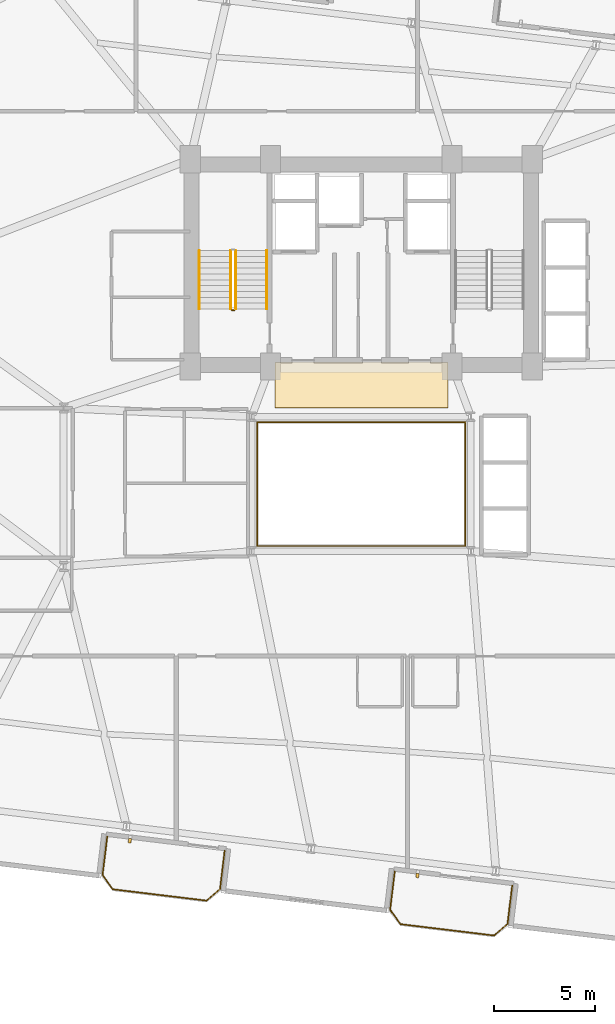
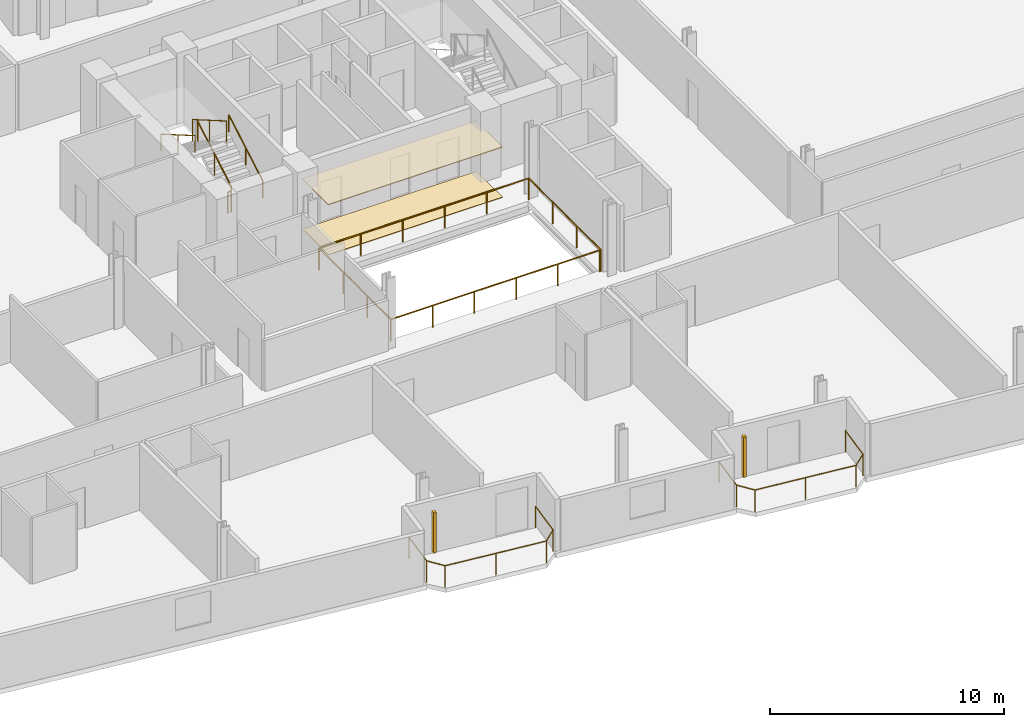
# One storey, part 24 of 25: 9 railings, 2 coverings, 2 shading devices.
"""IFC4 building model written with IfcOpenShell, lengths in metres."""

import ifcopenshell
import ifcopenshell.guid

model = None  # the IFC model being written
_history = None  # IfcOwnerHistory: only IFC2X3 demands one
_inside = {}  # id of a spatial element -> (the spatial element, [elements in it])
_under = {}  # id of a project, library or spatial element -> (it, [spatial elements below it])
_declared = {}  # id of a project -> (the project, [libraries it declares])
_typed = {}  # id of a type object -> (the type object, [elements of that type])
_made_of = {}  # id of a material, layer set ... -> (it, [elements and type objects made of it])


def new_model(schema):
    """Start an empty IFC model of exactly this schema.

    Asked for "IFC4X3", IfcOpenShell would pick the latest addendum, in which some entities
    have other attributes; the version numbers below select the first issue.
    IFC2X3 requires an IfcOwnerHistory on every rooted entity: one is made here for all.
    """
    global model, _history
    if schema == "IFC4X3":
        model = ifcopenshell.file(schema_version=(4, 3, 0, 0))
    else:
        model = ifcopenshell.file(schema=schema)
    _inside.clear()
    _under.clear()
    _declared.clear()
    _typed.clear()
    _made_of.clear()
    _history = None
    if model.schema == "IFC2X3":
        org = make("IfcOrganization", Name="unknown")
        user = make(
            "IfcPersonAndOrganization",
            ThePerson=make("IfcPerson", FamilyName="unknown"),
            TheOrganization=org,
        )
        app = make(
            "IfcApplication",
            ApplicationDeveloper=org,
            Version="unknown",
            ApplicationFullName="unknown",
            ApplicationIdentifier="unknown",
        )
        _history = make(
            "IfcOwnerHistory",
            OwningUser=user,
            OwningApplication=app,
            ChangeAction="ADDED",
            CreationDate=0,
        )
    return model


def make(cls, **values):
    """One entity of the class cls with the attributes given. An attribute that is None is left unset."""
    return model.create_entity(
        cls, **{name: value for name, value in values.items() if value is not None}
    )


def rooted(cls, **values):
    """An entity with a GlobalId (a new one), such as an element, a storey or a relation."""
    return make(cls, GlobalId=ifcopenshell.guid.new(), OwnerHistory=_history, **values)


def si_unit(unit_type, name, prefix=None):
    """IfcSIUnit, for example si_unit("LENGTHUNIT", "METRE", prefix="MILLI")."""
    return make("IfcSIUnit", UnitType=unit_type, Prefix=prefix, Name=name)


def assignment(units):
    """IfcUnitAssignment: the units of a project."""
    return None if units is None else make("IfcUnitAssignment", Units=units)


def point(xyz):
    """IfcCartesianPoint."""
    return None if xyz is None else make("IfcCartesianPoint", Coordinates=xyz)


def direction(xyz):
    """IfcDirection."""
    return None if xyz is None else make("IfcDirection", DirectionRatios=xyz)


def frame(location, z_axis=None, x_axis=None):
    """IfcAxis2Placement3D, a coordinate frame: its origin and axes. An axis left out is left unset."""
    return make(
        "IfcAxis2Placement3D",
        Location=point(location),
        Axis=direction(z_axis),
        RefDirection=direction(x_axis),
    )


def frame_2d(location, x_axis=None):
    """IfcAxis2Placement2D, a coordinate frame in the plane: its origin and x axis."""
    return make(
        "IfcAxis2Placement2D", Location=point(location), RefDirection=direction(x_axis)
    )


def origin():
    """The frame at (0, 0, 0) with its axes left unset."""
    return frame((0.0, 0.0, 0.0))


def origin_2d():
    """The frame at (0, 0) in the plane with its x axis left unset."""
    return frame_2d((0.0, 0.0))


def place(relative_to, where):
    """IfcLocalPlacement: puts the frame where relative to a parent placement (None: the world)."""
    return make(
        "IfcLocalPlacement", PlacementRelTo=relative_to, RelativePlacement=where
    )


def context(
    kind, dimensions, precision=None, world=None, true_north=None, identifier=None
):
    """IfcGeometricRepresentationContext, for example the 3D "Model" context."""
    return make(
        "IfcGeometricRepresentationContext",
        ContextIdentifier=identifier,
        ContextType=kind,
        CoordinateSpaceDimension=dimensions,
        Precision=precision,
        WorldCoordinateSystem=world,
        TrueNorth=true_north,
    )


def subcontext(parent, identifier, kind, view, scale=None):
    """IfcGeometricRepresentationSubContext, for example "Body" below "Model"."""
    return make(
        "IfcGeometricRepresentationSubContext",
        ContextIdentifier=identifier,
        ContextType=kind,
        ParentContext=parent,
        TargetScale=scale,
        TargetView=view,
    )


def project(units=None, contexts=None):
    """IfcProject with its units and contexts."""
    return rooted(
        "IfcProject",
        Name="project",
        RepresentationContexts=contexts,
        UnitsInContext=assignment(units),
    )


def spatial(cls, under=None, at=None, **own):
    """A site, building, storey or space (cls), placed at a placement, below another one or the project."""
    s = rooted(cls, ObjectPlacement=at, **own)
    if under is not None:
        _under.setdefault(under.id(), (under, []))[1].append(s)
    return s


def profile(cls, at=None, kind="AREA", **sizes):
    """A parametric profile (cls). Its sizes go by their IFC names, for example OverallWidth=200.0."""
    return make(cls, ProfileType=kind, Position=at, **sizes)


def rectangle(**sizes):
    """IfcRectangleProfileDef."""
    return profile("IfcRectangleProfileDef", **sizes)


def circle(**sizes):
    """IfcCircleProfileDef."""
    return profile("IfcCircleProfileDef", **sizes)


def extrude(swept, where, along, depth):
    """IfcExtrudedAreaSolid: the profile swept, set in the frame where, extruded along a direction by depth."""
    return make(
        "IfcExtrudedAreaSolid",
        SweptArea=swept,
        Position=where,
        ExtrudedDirection=direction(along),
        Depth=depth,
    )


def shape(context_of_items, identifier, shape_type, items):
    """IfcShapeRepresentation: the items that make up one representation, for example the "Body"."""
    return make(
        "IfcShapeRepresentation",
        ContextOfItems=context_of_items,
        RepresentationIdentifier=identifier,
        RepresentationType=shape_type,
        Items=items,
    )


def source(mapping_origin, context_of_items, identifier, shape_type, items):
    """IfcRepresentationMap: a shape defined once, which mapped items show again and again."""
    return make(
        "IfcRepresentationMap",
        MappingOrigin=mapping_origin,
        MappedRepresentation=shape(context_of_items, identifier, shape_type, items),
    )


def transform(
    local_origin,
    x_axis=None,
    y_axis=None,
    z_axis=None,
    scale=None,
    scale2=None,
    scale3=None,
    uniform=True,
):
    """IfcCartesianTransformationOperator3D, or its non-uniform kind. x_axis, y_axis, z_axis: its Axis1, 2, 3."""
    if uniform:
        return make(
            "IfcCartesianTransformationOperator3D",
            Axis1=direction(x_axis),
            Axis2=direction(y_axis),
            LocalOrigin=point(local_origin),
            Scale=scale,
            Axis3=direction(z_axis),
        )
    return make(
        "IfcCartesianTransformationOperator3DnonUniform",
        Axis1=direction(x_axis),
        Axis2=direction(y_axis),
        LocalOrigin=point(local_origin),
        Scale=scale,
        Axis3=direction(z_axis),
        Scale2=scale2,
        Scale3=scale3,
    )


def mapped(mapping_source, mapping_target):
    """IfcMappedItem: shows the shape of a source again, moved by a transform."""
    return make(
        "IfcMappedItem", MappingSource=mapping_source, MappingTarget=mapping_target
    )


def material(Name=None, Category=None):
    """IfcMaterial."""
    return make("IfcMaterial", Name=Name, Category=Category)


def layer(
    of_material, thickness, ventilated=None, Name=None, Category=None, Priority=None
):
    """IfcMaterialLayer: one layer of a wall or slab, of a material (None: an air gap)."""
    return make(
        "IfcMaterialLayer",
        Material=of_material,
        LayerThickness=thickness,
        IsVentilated=ventilated,
        Name=Name,
        Category=Category,
        Priority=Priority,
    )


def layer_set(layers, Name=None):
    """IfcMaterialLayerSet."""
    return make("IfcMaterialLayerSet", MaterialLayers=layers, LayerSetName=Name)


def made_of(thing, what):
    """Note that an element or type object is made of a material, layer set ...; save() writes the relation."""
    if what is not None:
        _made_of.setdefault(what.id(), (what, []))[1].append(thing)
    return thing


def type_object(cls, material=None, **own):
    """A type object (cls), such as IfcWallType, which elements share."""
    return made_of(rooted(cls, **own), material)


def element(
    cls,
    number,
    at=None,
    inside=None,
    cuts=None,
    type_object=None,
    material=None,
    context=None,
    identifier="Body",
    shape_type=None,
    held_by="IfcProductDefinitionShape",
    body=None,
    shapes=None,
    **own,
):
    """One element of the class cls, such as IfcWall. Its Tag is "e" and its number.

    at: its placement. inside: the storey or other place that contains it. cuts: it is an
    opening in that element (IfcRelVoidsElement). A single representation is given by context,
    identifier, shape_type and body (its items); several are given by shapes. held_by: the class
    of the entity that holds the representations. save() writes the other relations.
    """
    e = rooted(cls, Tag="e%d" % number, ObjectPlacement=at, **own)
    if body is not None:
        shapes = [shape(context, identifier, shape_type, body)]
    if shapes is not None:
        e.Representation = make(held_by, Representations=shapes)
    if inside is not None:
        _inside.setdefault(inside.id(), (inside, []))[1].append(e)
    if cuts is not None:
        rooted(
            "IfcRelVoidsElement", RelatingBuildingElement=cuts, RelatedOpeningElement=e
        )
    if type_object is not None:
        _typed.setdefault(type_object.id(), (type_object, []))[1].append(e)
    return made_of(e, material)


def aggregate(whole, parts):
    """IfcRelAggregates: a whole, such as a stair, and the parts it consists of."""
    return rooted("IfcRelAggregates", RelatingObject=whole, RelatedObjects=parts)


def save(model, path):
    """Write the relations noted so far, then the file.

    IfcRelAggregates (storeys below a building ...), IfcRelContainedInSpatialStructure (elements
    in a storey), IfcRelDefinesByType, IfcRelAssociatesMaterial and IfcRelDeclares: one each for
    every whole, place, type object, material and project.
    """
    for whole, parts in _under.values():
        aggregate(whole, parts)
    for where, things in _inside.values():
        rooted(
            "IfcRelContainedInSpatialStructure",
            RelatedElements=things,
            RelatingStructure=where,
        )
    for kind, things in _typed.values():
        rooted("IfcRelDefinesByType", RelatedObjects=things, RelatingType=kind)
    for what, things in _made_of.values():
        rooted("IfcRelAssociatesMaterial", RelatedObjects=things, RelatingMaterial=what)
    for by, libraries in _declared.values():
        rooted("IfcRelDeclares", RelatingContext=by, RelatedDefinitions=libraries)
    model.write(path)


model = new_model("IFC4")

# Units and contexts
model_context = context("Model", 3, precision=1e-05, world=origin(), true_north=direction((0.0, 1.0)))
body_context = subcontext(model_context, "Body", "Model", "MODEL_VIEW")
ifc_project = project(units=[si_unit("LENGTHUNIT", "METRE"), si_unit("AREAUNIT", "SQUARE_METRE"), si_unit("VOLUMEUNIT", "CUBIC_METRE"), si_unit("PLANEANGLEUNIT", "RADIAN"), si_unit("MASSUNIT", "GRAM", prefix="KILO")], contexts=[model_context])

# Site, building, storey
site_placement = place(None, origin())
site = spatial("IfcSite", under=ifc_project, at=site_placement, CompositionType="ELEMENT")
building_placement = place(site_placement, origin())
building = spatial("IfcBuilding", under=site, at=building_placement, Name="Varnelok Gate Tower", CompositionType="ELEMENT")
storey_placement = place(building_placement, frame((0.0, 0.0, 140.199951171875)))
storey = spatial("IfcBuildingStorey", under=building, at=storey_placement, Name="L35", CompositionType="ELEMENT", Elevation=140.199951171875)

# Railings
ifc_material_1 = material(Name="Tempered Laminated Balustrade Glass", Category="glass")
railing_type_1 = type_object("IfcRailingType", Name="RL-ATR-GUARD1150", PredefinedType="GUARDRAIL", material=ifc_material_1)
railing_1_placement = place(storey_placement, frame((34.02001953125, 25.929931640625, 0.0)))
element("IfcRailing", 1, at=railing_1_placement, inside=storey, type_object=railing_type_1, Name="L35 Internal Atrium South-West Guardrail", PredefinedType="GUARDRAIL", context=body_context, shape_type="SweptSolid", body=[
    extrude(circle(Radius=0.02392578125, at=origin_2d()), frame((0.0, 0.0, 1.1259765625), z_axis=(0.0, -1.0, 0.0), x_axis=(1.0, 0.0, 0.0)), (0.0, 0.0, 1.0), 6.10986328125),
    extrude(circle(Radius=0.02392578125, at=origin_2d()), frame((0.0, -6.10986328125, 1.1259765625), z_axis=(1.0, 0.0, 0.0), x_axis=(0.0, 1.0, 0.0)), (0.0, 0.0, 1.0), 10.31005859375),
    extrude(circle(Radius=0.02099609375, at=origin_2d()), origin(), (0.0, 0.0, 1.0), 1.101806640625),
    extrude(circle(Radius=0.02099609375, at=origin_2d()), frame((0.0, -2.03662109375, 0.0)), (0.0, 0.0, 1.0), 1.101806640625),
    extrude(circle(Radius=0.02099609375, at=origin_2d()), frame((0.0, -4.0732421875, 0.0)), (0.0, 0.0, 1.0), 1.101806640625),
    extrude(circle(Radius=0.02099609375, at=origin_2d()), frame((0.0, -6.10986328125, 0.0)), (0.0, 0.0, 1.0), 1.101806640625),
    extrude(circle(Radius=0.02099609375, at=origin_2d()), frame((2.06201171875, -6.10986328125, 0.0)), (0.0, 0.0, 1.0), 1.101806640625),
    extrude(circle(Radius=0.02099609375, at=origin_2d()), frame((4.1240234375, -6.10986328125, 0.0)), (0.0, 0.0, 1.0), 1.101806640625),
    extrude(circle(Radius=0.02099609375, at=origin_2d()), frame((6.18603515625, -6.10986328125, 0.0)), (0.0, 0.0, 1.0), 1.101806640625),
    extrude(circle(Radius=0.02099609375, at=origin_2d()), frame((8.248046875, -6.10986328125, 0.0)), (0.0, 0.0, 1.0), 1.101806640625),
    extrude(circle(Radius=0.02099609375, at=origin_2d()), frame((10.31005859375, -6.10986328125, 0.0)), (0.0, 0.0, 1.0), 1.101806640625),
])
railing_2_placement = place(storey_placement, frame((44.3798828125, 19.820068359375, 0.0)))
element("IfcRailing", 2, at=railing_2_placement, inside=storey, type_object=railing_type_1, Name="L35 Internal Atrium North-East Guardrail", PredefinedType="GUARDRAIL", context=body_context, shape_type="SweptSolid", body=[
    extrude(circle(Radius=0.02392578125, at=origin_2d()), frame((0.0, 0.0, 1.1259765625), z_axis=(0.0, 1.0, 0.0), x_axis=(-1.0, 0.0, 0.0)), (0.0, 0.0, 1.0), 6.159912109375),
    extrude(circle(Radius=0.02392578125, at=origin_2d()), frame((0.0, 6.159912109375, 1.1259765625), z_axis=(-1.0, 0.0, 0.0), x_axis=(0.0, -1.0, 0.0)), (0.0, 0.0, 1.0), 10.35986328125),
    extrude(circle(Radius=0.02099609375, at=origin_2d()), origin(), (0.0, 0.0, 1.0), 1.101806640625),
    extrude(circle(Radius=0.02099609375, at=origin_2d()), frame((0.0, 2.05322265625, 0.0)), (0.0, 0.0, 1.0), 1.101806640625),
    extrude(circle(Radius=0.02099609375, at=origin_2d()), frame((0.0, 4.106689453125, 0.0)), (0.0, 0.0, 1.0), 1.101806640625),
    extrude(circle(Radius=0.02099609375, at=origin_2d()), frame((0.0, 6.159912109375, 0.0)), (0.0, 0.0, 1.0), 1.101806640625),
    extrude(circle(Radius=0.02099609375, at=origin_2d()), frame((-2.072021484375, 6.159912109375, 0.0)), (0.0, 0.0, 1.0), 1.101806640625),
    extrude(circle(Radius=0.02099609375, at=origin_2d()), frame((-4.14404296875, 6.159912109375, 0.0)), (0.0, 0.0, 1.0), 1.101806640625),
    extrude(circle(Radius=0.02099609375, at=origin_2d()), frame((-6.2158203125, 6.159912109375, 0.0)), (0.0, 0.0, 1.0), 1.101806640625),
    extrude(circle(Radius=0.02099609375, at=origin_2d()), frame((-8.287841796875, 6.159912109375, 0.0)), (0.0, 0.0, 1.0), 1.101806640625),
    extrude(circle(Radius=0.02099609375, at=origin_2d()), frame((-10.35986328125, 6.159912109375, 0.0)), (0.0, 0.0, 1.0), 1.101806640625),
])
ifc_material_2 = material(Name="Low-E Laminated Double Glazing IGU", Category="glass")
railing_type_2 = type_object("IfcRailingType", Name="RL-BALC-1150", PredefinedType="BALUSTRADE", material=ifc_material_2)
railing_3_placement = place(storey_placement, frame((26.5703125, 5.375, 0.0)))
element("IfcRailing", 3, at=railing_3_placement, inside=storey, type_object=railing_type_2, Name="L35 South Terrace Balustrade 1", PredefinedType="BALUSTRADE", context=body_context, shape_type="SweptSolid", body=[
    extrude(circle(Radius=0.02392578125, at=origin_2d()), frame((0.0, 0.0, 1.1259765625), z_axis=(-0.120293392036, -0.992738384386, 0.0), x_axis=(0.992738384386, -0.120293392036, 0.0)), (0.0, 0.0, 1.0), 1.919921875),
    extrude(circle(Radius=0.02392578125, at=origin_2d()), frame((-0.23095703125, -1.906005859375, 1.1259765625), z_axis=(0.577971037086, -0.816057277579, 0.0), x_axis=(0.816057277579, 0.577971037086, 0.0)), (0.0, 0.0, 1.0), 0.877685546875),
    extrude(circle(Radius=0.02392578125, at=origin_2d()), frame((0.2763671875, -2.622314453125, 1.1259765625), z_axis=(0.992737542139, -0.120300342591, 0.0), x_axis=(0.120300342591, 0.992737542139, 0.0)), (0.0, 0.0, 1.0), 4.7001953125),
    extrude(circle(Radius=0.02392578125, at=origin_2d()), frame((4.9423828125, -3.187744140625, 1.1259765625), z_axis=(0.756303655992, 0.654220742513, 0.0), x_axis=(-0.654220742513, 0.756303655992, 0.0)), (0.0, 0.0, 1.0), 0.877685546875),
    extrude(circle(Radius=0.02392578125, at=origin_2d()), frame((5.606201171875, -2.613525390625, 1.1259765625), z_axis=(0.120418709125, 0.992723191274, 0.0), x_axis=(-0.992723191274, 0.120418709125, 0.0)), (0.0, 0.0, 1.0), 1.919921875),
    extrude(circle(Radius=0.02099609375, at=origin_2d()), origin(), (0.0, 0.0, 1.0), 1.101806640625),
    extrude(circle(Radius=0.02099609375, at=origin_2d()), frame((-0.23095703125, -1.906005859375, 0.0)), (0.0, 0.0, 1.0), 1.101806640625),
    extrude(circle(Radius=0.02099609375, at=origin_2d()), frame((0.2763671875, -2.622314453125, 0.0)), (0.0, 0.0, 1.0), 1.101806640625),
    extrude(circle(Radius=0.02099609375, at=origin_2d()), frame((2.609375, -2.905029296875, 0.0)), (0.0, 0.0, 1.0), 1.101806640625),
    extrude(circle(Radius=0.02099609375, at=origin_2d()), frame((4.9423828125, -3.187744140625, 0.0)), (0.0, 0.0, 1.0), 1.101806640625),
    extrude(circle(Radius=0.02099609375, at=origin_2d()), frame((5.606201171875, -2.613525390625, 0.0)), (0.0, 0.0, 1.0), 1.101806640625),
    extrude(circle(Radius=0.02099609375, at=origin_2d()), frame((5.83740234375, -0.70751953125, 0.0)), (0.0, 0.0, 1.0), 1.101806640625),
])
railing_4_placement = place(storey_placement, frame((40.86572265625, 3.64208984375, 0.0)))
element("IfcRailing", 4, at=railing_4_placement, inside=storey, type_object=railing_type_2, Name="L35 South Terrace Balustrade 2", PredefinedType="BALUSTRADE", context=body_context, shape_type="SweptSolid", body=[
    extrude(circle(Radius=0.02392578125, at=origin_2d()), frame((0.0, 0.0, 1.1259765625), z_axis=(-0.120418709125, -0.992723191274, 0.0), x_axis=(0.992723191274, -0.120418709125, 0.0)), (0.0, 0.0, 1.0), 1.919921875),
    extrude(circle(Radius=0.02392578125, at=origin_2d()), frame((-0.231201171875, -1.906005859375, 1.1259765625), z_axis=(0.57815621837, -0.815926091726, 0.0), x_axis=(0.815926091726, 0.57815621837, 0.0)), (0.0, 0.0, 1.0), 0.8779296875),
    extrude(circle(Radius=0.02392578125, at=origin_2d()), frame((0.2763671875, -2.622314453125, 1.1259765625), z_axis=(0.99273133746, -0.120351533534, 0.0), x_axis=(0.120351533534, 0.99273133746, 0.0)), (0.0, 0.0, 1.0), 4.7001953125),
    extrude(circle(Radius=0.02392578125, at=origin_2d()), frame((4.9423828125, -3.18798828125, 1.1259765625), z_axis=(0.756166036083, 0.654379802465, 0.0), x_axis=(-0.654379802465, 0.756166036083, 0.0)), (0.0, 0.0, 1.0), 0.8779296875),
    extrude(circle(Radius=0.02392578125, at=origin_2d()), frame((5.606201171875, -2.613525390625, 1.1259765625), z_axis=(0.120293392036, 0.992738384386, 0.0), x_axis=(-0.992738384386, 0.120293392036, 0.0)), (0.0, 0.0, 1.0), 1.919921875),
    extrude(circle(Radius=0.02099609375, at=origin_2d()), origin(), (0.0, 0.0, 1.0), 1.101806640625),
    extrude(circle(Radius=0.02099609375, at=origin_2d()), frame((-0.231201171875, -1.906005859375, 0.0)), (0.0, 0.0, 1.0), 1.101806640625),
    extrude(circle(Radius=0.02099609375, at=origin_2d()), frame((0.2763671875, -2.622314453125, 0.0)), (0.0, 0.0, 1.0), 1.101806640625),
    extrude(circle(Radius=0.02099609375, at=origin_2d()), frame((2.609375, -2.9052734375, 0.0)), (0.0, 0.0, 1.0), 1.101806640625),
    extrude(circle(Radius=0.02099609375, at=origin_2d()), frame((4.9423828125, -3.18798828125, 0.0)), (0.0, 0.0, 1.0), 1.101806640625),
    extrude(circle(Radius=0.02099609375, at=origin_2d()), frame((5.606201171875, -2.613525390625, 0.0)), (0.0, 0.0, 1.0), 1.101806640625),
    extrude(circle(Radius=0.02099609375, at=origin_2d()), frame((5.837158203125, -0.70751953125, 0.0)), (0.0, 0.0, 1.0), 1.101806640625),
])
ifc_material_3 = material(Name="Brushed Stainless Steel AISI 316", Category="steel")
railing_type_3 = type_object("IfcRailingType", Name="RL-HANDRAIL-900", PredefinedType="HANDRAIL", material=ifc_material_3)
railing_5_placement = place(storey_placement, frame((34.5, 31.60009765625, 0.168212890625)))
element("IfcRailing", 5, at=railing_5_placement, inside=storey, type_object=railing_type_3, Name="L35 ST-1 stair handrail 1", PredefinedType="HANDRAIL", context=body_context, shape_type="SweptSolid", body=[
    extrude(circle(Radius=0.02392578125, at=origin_2d()), frame((0.0, 0.0, 0.8759765625), z_axis=(0.0, 0.865038774852, 0.501705010941), x_axis=(-1.0, 0.0, 0.0)), (0.0, 0.0, 1.0), 3.352294921875),
    extrude(circle(Radius=0.02099609375, at=origin_2d()), origin(), (0.0, 0.0, 1.0), 0.851806640625),
    extrude(circle(Radius=0.02099609375, at=origin_2d()), frame((0.0, 1.449951171875, 0.8408203125)), (0.0, 0.0, 1.0), 0.851806640625),
    extrude(circle(Radius=0.02099609375, at=origin_2d()), frame((0.0, 2.89990234375, 1.681884765625)), (0.0, 0.0, 1.0), 0.851806640625),
])
railing_6_placement = place(storey_placement, frame((31.14990234375, 34.5, 2.018310546875)))
element("IfcRailing", 6, at=railing_6_placement, inside=storey, type_object=railing_type_3, Name="L35 ST-1 stair handrail 2", PredefinedType="HANDRAIL", context=body_context, shape_type="SweptSolid", body=[
    extrude(circle(Radius=0.02392578125, at=origin_2d()), frame((0.0, 0.0, 0.8759765625), z_axis=(0.0, -0.86507038078, 0.501650512107), x_axis=(1.0, 0.0, 0.0)), (0.0, 0.0, 1.0), 3.352294921875),
    extrude(circle(Radius=0.02099609375, at=origin_2d()), origin(), (0.0, 0.0, 1.0), 0.851806640625),
    extrude(circle(Radius=0.02099609375, at=origin_2d()), frame((0.0, -1.449951171875, 0.8408203125)), (0.0, 0.0, 1.0), 0.851806640625),
    extrude(circle(Radius=0.02099609375, at=origin_2d()), frame((0.0, -2.89990234375, 1.681640625)), (0.0, 0.0, 1.0), 0.851806640625),
])
ifc_material_4 = material(Name="Galvanized Steel Grade S350GD", Category="steel")
railing_type_4 = type_object("IfcRailingType", Name="RL-STAIR-GUARD1120", PredefinedType="GUARDRAIL", material=ifc_material_4)
railing_7_placement = place(storey_placement, frame((32.949951171875, 31.60009765625, 0.168212890625)))
element("IfcRailing", 7, at=railing_7_placement, inside=storey, type_object=railing_type_4, Name="L35 ST-1 stair guard 1", PredefinedType="GUARDRAIL", context=body_context, shape_type="SweptSolid", body=[
    extrude(circle(Radius=0.02392578125, at=origin_2d()), frame((0.0, 0.0, 1.09619140625), z_axis=(0.0, 0.865038774852, 0.501705010941), x_axis=(-1.0, 0.0, 0.0)), (0.0, 0.0, 1.0), 3.352294921875),
    extrude(circle(Radius=0.02099609375, at=origin_2d()), origin(), (0.0, 0.0, 1.0), 1.072021484375),
    extrude(circle(Radius=0.02099609375, at=origin_2d()), frame((0.0, 1.449951171875, 0.8408203125)), (0.0, 0.0, 1.0), 1.072021484375),
    extrude(circle(Radius=0.02099609375, at=origin_2d()), frame((0.0, 2.89990234375, 1.681884765625)), (0.0, 0.0, 1.0), 1.072021484375),
])
railing_8_placement = place(storey_placement, frame((32.699951171875, 34.5, 2.018310546875)))
element("IfcRailing", 8, at=railing_8_placement, inside=storey, type_object=railing_type_4, Name="L35 ST-1 stair guard 3", PredefinedType="GUARDRAIL", context=body_context, shape_type="SweptSolid", body=[
    extrude(circle(Radius=0.02392578125, at=origin_2d()), frame((0.0, 0.0, 1.09619140625), z_axis=(0.0, -0.86507038078, 0.501650512107), x_axis=(1.0, 0.0, 0.0)), (0.0, 0.0, 1.0), 3.352294921875),
    extrude(circle(Radius=0.02099609375, at=origin_2d()), origin(), (0.0, 0.0, 1.0), 1.072021484375),
    extrude(circle(Radius=0.02099609375, at=origin_2d()), frame((0.0, -1.449951171875, 0.8408203125)), (0.0, 0.0, 1.0), 1.072021484375),
    extrude(circle(Radius=0.02099609375, at=origin_2d()), frame((0.0, -2.89990234375, 1.681640625)), (0.0, 0.0, 1.0), 1.072021484375),
])
railing_9_placement = place(storey_placement, frame((32.89990234375, 31.550048828125, 0.0)))
element("IfcRailing", 9, at=railing_9_placement, inside=storey, type_object=railing_type_4, Name="L35 ST-1 stair guard 4", PredefinedType="GUARDRAIL", context=body_context, shape_type="SweptSolid", body=[
    extrude(circle(Radius=0.02392578125, at=origin_2d()), frame((0.0, 0.0, 1.09619140625), z_axis=(-1.0, 0.0, 0.0), x_axis=(0.0, -1.0, 0.0)), (0.0, 0.0, 1.0), 0.14990234375),
    extrude(circle(Radius=0.02099609375, at=origin_2d()), origin(), (0.0, 0.0, 1.0), 1.072021484375),
    extrude(circle(Radius=0.02099609375, at=origin_2d()), frame((-0.14990234375, 0.0, 0.0)), (0.0, 0.0, 1.0), 1.072021484375),
])

# Shading devices
ifc_material_5 = material(Name="Glazed Architectural Terracotta Ceramic", Category="masonry")
shading_device_type = type_object("IfcShadingDeviceType", Name="SHD-TERRA-FIN", PredefinedType="USERDEFINED", material=ifc_material_5)
shared_shape_1 = source(origin(), body_context, "Body", "SweptSolid", [
    extrude(rectangle(XDim=0.139892578125, YDim=0.219970703125, at=origin_2d()), origin(), (0.0, 0.0, 1.0), 2.10009765625),
])
for number, where, z_axis, x_axis, name in (
    (10, (27.693603515625, 5.16845703125, 0.10009765625), (0.0, 0.0, 1.0), (0.992732158755, -0.12034475881, 0.0), "L35 Terracotta Ceramic Baguette Sunscreen 1.1"),
    (11, (41.989013671875, 3.435546875, 0.10009765625), (0.0, 0.0, 1.0), (0.992732158755, -0.12034475881, 0.0), "L35 Terracotta Ceramic Baguette Sunscreen 2.1"),
):
    element("IfcShadingDevice", number, at=place(storey_placement, frame(where, z_axis=z_axis, x_axis=x_axis)), inside=storey, type_object=shading_device_type, Name=name, ObjectType="BAGUETTE", PredefinedType="USERDEFINED", context=body_context, shape_type="MappedRepresentation", body=[
        mapped(shared_shape_1, transform((0.0, 0.0, 0.0), scale=1.0)),
    ])

# Coverings
ifc_material_6 = material(Name="Honed Travertine Stone Flooring", Category="masonry")
ifc_layer_1 = layer(ifc_material_6, 0.02490234375)
ifc_layer_set_1 = layer_set([ifc_layer_1], Name="Honed Travertine Stone Flooring")
covering_type_1 = type_object("IfcCoveringType", Name="COV-FLOR-STONE", PredefinedType="FLOORING", material=ifc_layer_set_1)
shared_shape_2 = source(origin(), body_context, "Body", "SweptSolid", [
    extrude(rectangle(XDim=8.60009765625, YDim=2.219970703125, at=origin_2d()), origin(), (0.0, 0.0, 1.0), 0.02490234375),
])
covering_1_placement = place(storey_placement, frame((39.199951171875, 27.800048828125, 0.0), z_axis=(0.0, 0.0, 1.0), x_axis=(1.0, 0.0, 0.0)))
element("IfcCovering", 12, at=covering_1_placement, inside=storey, type_object=covering_type_1, Name="L35 Core Gallery Stone Flooring", PredefinedType="FLOORING", context=body_context, shape_type="MappedRepresentation", body=[
    mapped(shared_shape_2, transform((0.0, 0.0, 0.0), scale=1.0)),
])
ifc_material_7 = material(Name="Mineral Fiber Acoustic Ceiling Tile")
ifc_layer_2 = layer(ifc_material_7, 0.0400390625)
ifc_layer_set_2 = layer_set([ifc_layer_2], Name="Mineral Fiber Acoustic Ceiling Tile")
covering_type_2 = type_object("IfcCoveringType", Name="COV-CEIL-ACOUST", PredefinedType="CEILING", material=ifc_layer_set_2)
shared_shape_3 = source(origin(), body_context, "Body", "SweptSolid", [
    extrude(rectangle(XDim=8.60009765625, YDim=2.239990234375, at=origin_2d()), origin(), (0.0, 0.0, 1.0), 0.0400390625),
])
covering_2_placement = place(storey_placement, frame((39.199951171875, 27.820068359375, 2.60009765625), z_axis=(0.0, 0.0, 1.0), x_axis=(1.0, 0.0, 0.0)))
element("IfcCovering", 13, at=covering_2_placement, inside=storey, type_object=covering_type_2, Name="L35 Core Gallery Acoustic Ceiling", PredefinedType="CEILING", context=body_context, shape_type="MappedRepresentation", body=[
    mapped(shared_shape_3, transform((0.0, 0.0, 0.0), scale=1.0)),
])

save(model, "model.ifc")
